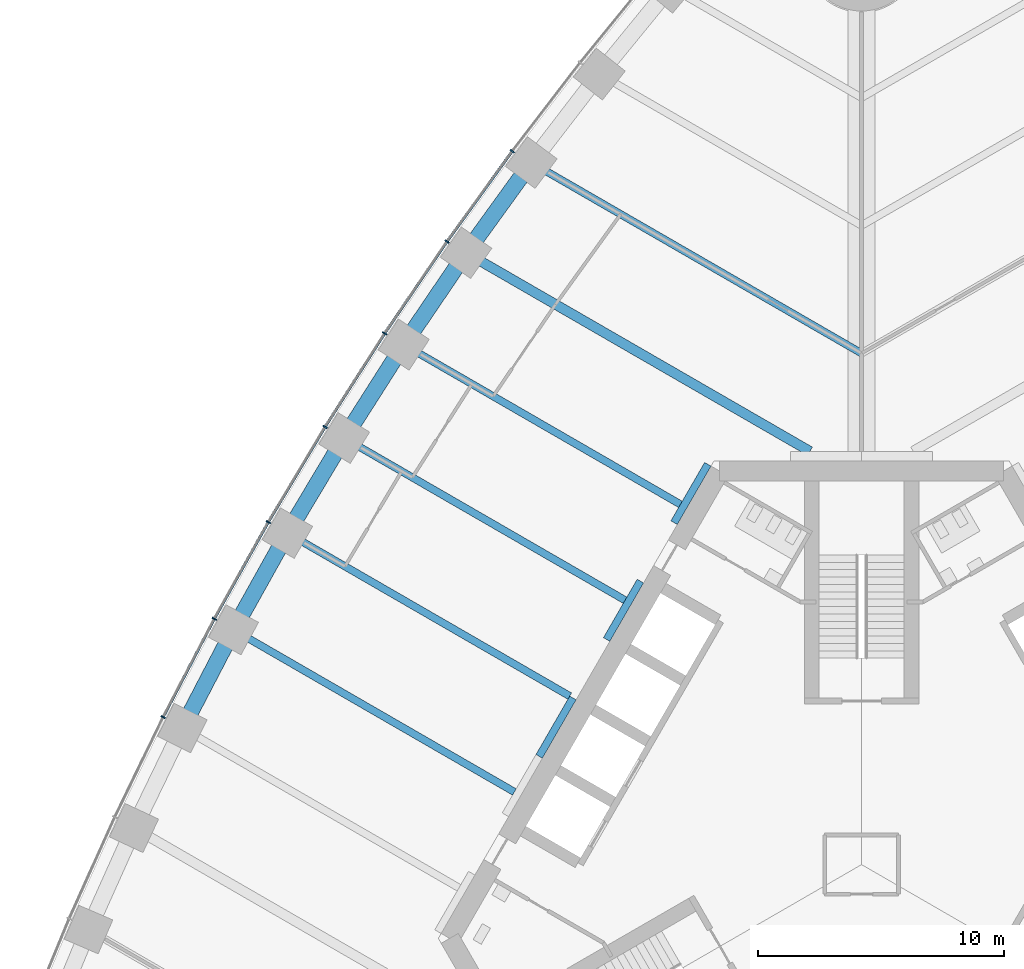
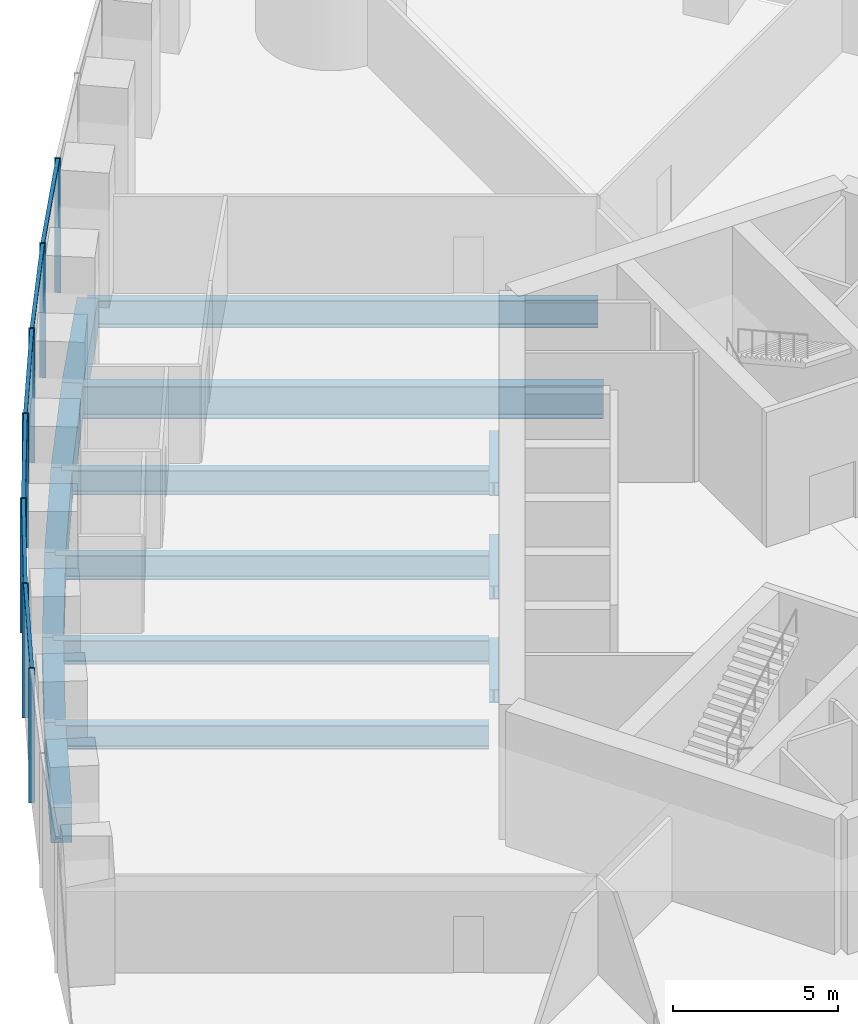
# One storey, part 7 of 21: 15 beams, 13 members, 1 element without a shape of its own.
"""IFC4 building model written with IfcOpenShell, lengths in metres."""

from ifc_helpers import new_model, si_unit, direction, frame, origin, origin_2d, place, context, subcontext, project, spatial, rectangle, i_section, extrude, material, material_profile, profile_set, type_object, element, aggregate, save


model = new_model("IFC4")

# Units and contexts
model_context = context("Model", 3, precision=1e-05, world=origin(), true_north=direction((0.0, 1.0)))
body_context = subcontext(model_context, "Body", "Model", "MODEL_VIEW")
ifc_project = project(units=[si_unit("LENGTHUNIT", "METRE"), si_unit("AREAUNIT", "SQUARE_METRE"), si_unit("VOLUMEUNIT", "CUBIC_METRE"), si_unit("PLANEANGLEUNIT", "RADIAN"), si_unit("MASSUNIT", "GRAM", prefix="KILO")], contexts=[model_context])

# Site, building, storey
site_placement = place(None, origin())
site = spatial("IfcSite", under=ifc_project, at=site_placement, CompositionType="ELEMENT")
building_placement = place(site_placement, origin())
building = spatial("IfcBuilding", under=site, at=building_placement, Name="Trefoil Bronze Tower", CompositionType="ELEMENT")
storey_placement = place(building_placement, frame((0.0, 0.0, 11.5)))
storey = spatial("IfcBuildingStorey", under=building, at=storey_placement, Name="L02", CompositionType="ELEMENT", Elevation=11.5)

# Curtain wall, members
ifc_material_1 = material(Name="Tinted solar-control glass", Category="glass")
curtain_wall_type = type_object("IfcCurtainWallType", Name="Bronze podium storefront curtain wall", PredefinedType="USERDEFINED", material=ifc_material_1)
curtain_wall_placement = place(storey_placement, origin())
curtain_wall = element("IfcCurtainWall", 1, at=curtain_wall_placement, inside=storey, type_object=curtain_wall_type, Name="CW-C L02 F3", ObjectType="CURTAIN WALL", PredefinedType="USERDEFINED")
ifc_material_2 = material(Name="Bronze-finish aluminium", Category="aluminium")
ifc_material_profile_1 = material_profile(ifc_material_2, rectangle(XDim=0.199951171875, YDim=0.06005859375, at=origin_2d()), Name="CW-C mullion")
ifc_profile_set_1 = profile_set([ifc_material_profile_1], Name="Bronze-finish aluminium")
member_type_1 = type_object("IfcMemberType", Name="Bronze podium storefront curtain wall mullion", PredefinedType="MULLION", material=ifc_profile_set_1)
member_1_placement = place(storey_placement, frame((-14.20361328125, 28.99853515625, 0.0), z_axis=(0.0, 0.0, 1.0), x_axis=(0.802126748469, -0.59715381552, 0.0)))
member_1 = element("IfcMember", 2, at=member_1_placement, type_object=member_type_1, Name="CW-C L02 F3 mullion 5", PredefinedType="MULLION", context=body_context, shape_type="SweptSolid", body=[
    extrude(rectangle(XDim=0.199951171875, YDim=0.06005859375, at=origin_2d()), origin(), (0.0, 0.0, 1.0), 4.97998046875),
])
member_2_placement = place(storey_placement, frame((-16.853271484375, 25.32861328125, 0.0), z_axis=(0.0, 0.0, 1.0), x_axis=(0.819204207116, -0.573501932903, 0.0)))
member_2 = element("IfcMember", 3, at=member_2_placement, type_object=member_type_1, Name="CW-C L02 F3 mullion 6", PredefinedType="MULLION", context=body_context, shape_type="SweptSolid", body=[
    extrude(rectangle(XDim=0.199951171875, YDim=0.06005859375, at=origin_2d()), origin(), (0.0, 0.0, 1.0), 4.97998046875),
])
member_3_placement = place(storey_placement, frame((-19.38818359375, 21.5927734375, 0.0), z_axis=(0.0, 0.0, 1.0), x_axis=(0.835543651684, -0.549424067665, 0.0)))
member_3 = element("IfcMember", 4, at=member_3_placement, type_object=member_type_1, Name="CW-C L02 F3 mullion 7", PredefinedType="MULLION", context=body_context, shape_type="SweptSolid", body=[
    extrude(rectangle(XDim=0.199951171875, YDim=0.06005859375, at=origin_2d()), origin(), (0.0, 0.0, 1.0), 4.97998046875),
])
member_4_placement = place(storey_placement, frame((-21.8095703125, 17.791259765625, 0.0), z_axis=(0.0, 0.0, 1.0), x_axis=(0.851149783004, -0.524922896141, 0.0)))
member_4 = element("IfcMember", 5, at=member_4_placement, type_object=member_type_1, Name="CW-C L02 F3 mullion 8", PredefinedType="MULLION", context=body_context, shape_type="SweptSolid", body=[
    extrude(rectangle(XDim=0.199951171875, YDim=0.06005859375, at=origin_2d()), origin(), (0.0, 0.0, 1.0), 4.97998046875),
])
member_5_placement = place(storey_placement, frame((-24.11767578125, 13.92431640625, 0.0), z_axis=(0.0, 0.0, 1.0), x_axis=(0.866025403784, -0.5, 0.0)))
member_5 = element("IfcMember", 6, at=member_5_placement, type_object=member_type_1, Name="CW-C L02 F3 mullion 9", PredefinedType="MULLION", context=body_context, shape_type="SweptSolid", body=[
    extrude(rectangle(XDim=0.199951171875, YDim=0.06005859375, at=origin_2d()), origin(), (0.0, 0.0, 1.0), 4.97998046875),
])
member_6_placement = place(storey_placement, frame((-26.3125, 9.991943359375, 0.0), z_axis=(0.0, 0.0, 1.0), x_axis=(0.880171454588, -0.474655886437, 0.0)))
member_6 = element("IfcMember", 7, at=member_6_placement, type_object=member_type_1, Name="CW-C L02 F3 mullion 10", PredefinedType="MULLION", context=body_context, shape_type="SweptSolid", body=[
    extrude(rectangle(XDim=0.199951171875, YDim=0.06005859375, at=origin_2d()), origin(), (0.0, 0.0, 1.0), 4.97998046875),
])
member_7_placement = place(storey_placement, frame((-28.39404296875, 5.994384765625, 0.0), z_axis=(0.0, 0.0, 1.0), x_axis=(0.893587025891, -0.448889994497, 0.0)))
member_7 = element("IfcMember", 8, at=member_7_placement, type_object=member_type_1, Name="CW-C L02 F3 mullion 11", PredefinedType="MULLION", context=body_context, shape_type="SweptSolid", body=[
    extrude(rectangle(XDim=0.199951171875, YDim=0.06005859375, at=origin_2d()), origin(), (0.0, 0.0, 1.0), 4.97998046875),
])
ifc_material_3 = material(Name="Bronze-finish aluminium", Category="aluminium")
ifc_material_profile_2 = material_profile(ifc_material_3, rectangle(XDim=0.1201171875, YDim=0.10009765625, at=origin_2d()), Name="CW-C transom")
ifc_profile_set_2 = profile_set([ifc_material_profile_2], Name="Bronze-finish aluminium")
member_type_2 = type_object("IfcMemberType", Name="Bronze podium storefront curtain wall transom", PredefinedType="USERDEFINED", material=ifc_profile_set_2)
member_8_placement = place(storey_placement, frame((-14.221923828125, 28.972900390625, 4.929931640625), z_axis=(-0.585390692876, -0.810751340853, 0.0), x_axis=(0.810751340853, -0.585390692876, 0.0)))
member_8 = element("IfcMember", 9, at=member_8_placement, type_object=member_type_2, Name="CW-C L02 F3 transom 5", ObjectType="TRANSOM", PredefinedType="USERDEFINED", context=body_context, shape_type="SweptSolid", body=[
    extrude(rectangle(XDim=0.1201171875, YDim=0.10009765625, at=origin_2d()), origin(), (0.0, 0.0, 1.0), 4.46337890625),
])
member_9_placement = place(storey_placement, frame((-16.870849609375, 25.302734375, 4.929931640625), z_axis=(-0.561502759392, -0.827474864388, 0.0), x_axis=(0.827474864388, -0.561502759392, 0.0)))
member_9 = element("IfcMember", 10, at=member_9_placement, type_object=member_type_2, Name="CW-C L02 F3 transom 6", ObjectType="TRANSOM", PredefinedType="USERDEFINED", context=body_context, shape_type="SweptSolid", body=[
    extrude(rectangle(XDim=0.1201171875, YDim=0.10009765625, at=origin_2d()), origin(), (0.0, 0.0, 1.0), 4.451904296875),
])
member_10_placement = place(storey_placement, frame((-19.4052734375, 21.56640625, 4.929931640625), z_axis=(-0.537198916648, -0.84345558505, 0.0), x_axis=(0.84345558505, -0.537198916648, 0.0)))
member_10 = element("IfcMember", 11, at=member_10_placement, type_object=member_type_2, Name="CW-C L02 F3 transom 7", ObjectType="TRANSOM", PredefinedType="USERDEFINED", context=body_context, shape_type="SweptSolid", body=[
    extrude(rectangle(XDim=0.1201171875, YDim=0.10009765625, at=origin_2d()), origin(), (0.0, 0.0, 1.0), 4.4443359375),
])
member_11_placement = place(storey_placement, frame((-21.82568359375, 17.764404296875, 4.929931640625), z_axis=(-0.512521589617, -0.858674338837, 0.0), x_axis=(0.858674338837, -0.512521589617, 0.0)))
member_11 = element("IfcMember", 12, at=member_11_placement, type_object=member_type_2, Name="CW-C L02 F3 transom 8", ObjectType="TRANSOM", PredefinedType="USERDEFINED", context=body_context, shape_type="SweptSolid", body=[
    extrude(rectangle(XDim=0.1201171875, YDim=0.10009765625, at=origin_2d()), origin(), (0.0, 0.0, 1.0), 4.440673828125),
])
member_12_placement = place(storey_placement, frame((-24.133056640625, 13.89697265625, 4.929931640625), z_axis=(-0.487350560486, -0.873206408127, 0.0), x_axis=(0.873206408127, -0.487350560486, 0.0)))
member_12 = element("IfcMember", 13, at=member_12_placement, type_object=member_type_2, Name="CW-C L02 F3 transom 9", ObjectType="TRANSOM", PredefinedType="USERDEFINED", context=body_context, shape_type="SweptSolid", body=[
    extrude(rectangle(XDim=0.1201171875, YDim=0.10009765625, at=origin_2d()), origin(), (0.0, 0.0, 1.0), 4.4404296875),
])
member_13_placement = place(storey_placement, frame((-26.3271484375, 9.964111328125, 4.929931640625), z_axis=(-0.461831786888, -0.886967530759, 0.0), x_axis=(0.886967530759, -0.461831786888, 0.0)))
member_13 = element("IfcMember", 14, at=member_13_placement, type_object=member_type_2, Name="CW-C L02 F3 transom 10", ObjectType="TRANSOM", PredefinedType="USERDEFINED", context=body_context, shape_type="SweptSolid", body=[
    extrude(rectangle(XDim=0.1201171875, YDim=0.10009765625, at=origin_2d()), origin(), (0.0, 0.0, 1.0), 4.4443359375),
])
aggregate(curtain_wall, [member_1, member_2, member_3, member_4, member_5, member_6, member_7, member_8, member_9, member_10, member_11, member_12, member_13])

# Beams
ifc_material_4 = material(Name="Steel C355", Category="steel")
ifc_material_profile_3 = material_profile(ifc_material_4, i_section(OverallWidth=0.300048828125, OverallDepth=0.5, WebThickness=0.014404296875, FlangeThickness=0.028076171875, FilletRadius=0.027099609375, at=origin_2d()), Name="HEB 500")
ifc_profile_set_3 = profile_set([ifc_material_profile_3], Name="Steel C355")
beam_type_1 = type_object("IfcBeamType", Name="Core seat beam HEB 500", PredefinedType="BEAM", material=ifc_profile_set_3)
for number, where, z_axis, x_axis, name in (
    (15, (-6.249755859375, 16.27490234375, -0.449951171875), (-0.500035825175, -0.866004719122, 0.0), (0.866004719122, -0.500035825175, 0.0), "Core seat beam F3/-2 L02"),
    (16, (-8.9921875, 11.52490234375, -0.449951171875), (-0.500035825175, -0.866004719122, 0.0), (0.866004719122, -0.500035825175, 0.0), "Core seat beam F3/-1 L02"),
    (17, (-11.734619140625, 6.77490234375, -0.449951171875), (-0.500035825175, -0.866004719122, 0.0), (0.866004719122, -0.500035825175, 0.0), "Core seat beam F3/+0 L02"),
):
    element("IfcBeam", number, at=place(storey_placement, frame(where, z_axis=z_axis, x_axis=x_axis)), inside=storey, type_object=beam_type_1, Name=name, PredefinedType="BEAM", context=body_context, shape_type="SweptSolid", body=[
        extrude(i_section(OverallWidth=0.300048828125, OverallDepth=0.5, WebThickness=0.014404296875, FlangeThickness=0.028076171875, FilletRadius=0.027099609375, at=origin_2d()), origin(), (0.0, 0.0, 1.0), 2.742431640625),
    ])
ifc_material_5 = material(Name="Steel C355", Category="steel")
ifc_material_profile_4 = material_profile(ifc_material_5, i_section(OverallWidth=0.300048828125, OverallDepth=0.89990234375, WebThickness=0.0185546875, FlangeThickness=0.034912109375, FilletRadius=0.030029296875, at=origin_2d()), Name="HEB 900")
ifc_profile_set_4 = profile_set([ifc_material_profile_4], Name="Steel C355")
beam_type_2 = type_object("IfcBeamType", Name="Floor beam HEB 900", PredefinedType="BEAM", material=ifc_profile_set_4)
beam_1_placement = place(storey_placement, frame((-18.61083984375, 21.13720703125, -0.64990234375), z_axis=(0.866030615021, -0.499990973765, 0.0), x_axis=(0.499990973765, 0.866030615021, 0.0)))
element("IfcBeam", 18, at=beam_1_placement, inside=storey, type_object=beam_type_2, Name="Floor beam F3/-2 L02", PredefinedType="BEAM", context=body_context, shape_type="SweptSolid", body=[
    extrude(i_section(OverallWidth=0.300048828125, OverallDepth=0.89990234375, WebThickness=0.0185546875, FlangeThickness=0.034912109375, FilletRadius=0.030029296875, at=origin_2d()), origin(), (0.0, 0.0, 1.0), 12.986083984375),
])
beam_2_placement = place(storey_placement, frame((-21.031494140625, 17.338623046875, -0.64990234375), z_axis=(0.866027071639, -0.499997111179, 0.0), x_axis=(0.499997111179, 0.866027071639, 0.0)))
element("IfcBeam", 19, at=beam_2_placement, inside=storey, type_object=beam_type_2, Name="Floor beam F3/-1 L02", PredefinedType="BEAM", context=body_context, shape_type="SweptSolid", body=[
    extrude(i_section(OverallWidth=0.300048828125, OverallDepth=0.89990234375, WebThickness=0.0185546875, FlangeThickness=0.034912109375, FilletRadius=0.030029296875, at=origin_2d()), origin(), (0.0, 0.0, 1.0), 13.18310546875),
])
beam_3_placement = place(storey_placement, frame((-23.33837890625, 13.474365234375, -0.64990234375), z_axis=(0.866031233401, -0.499989902672, 0.0), x_axis=(0.499989902672, 0.866031233401, 0.0)))
element("IfcBeam", 20, at=beam_3_placement, inside=storey, type_object=beam_type_2, Name="Floor beam F3/+0 L02", PredefinedType="BEAM", context=body_context, shape_type="SweptSolid", body=[
    extrude(i_section(OverallWidth=0.300048828125, OverallDepth=0.89990234375, WebThickness=0.0185546875, FlangeThickness=0.034912109375, FilletRadius=0.030029296875, at=origin_2d()), origin(), (0.0, 0.0, 1.0), 13.248779296875),
])
beam_4_placement = place(storey_placement, frame((-25.531494140625, 9.54443359375, -0.64990234375), z_axis=(0.866027071639, -0.499997111179, 0.0), x_axis=(0.499997111179, 0.866027071639, 0.0)))
element("IfcBeam", 21, at=beam_4_placement, inside=storey, type_object=beam_type_2, Name="Floor beam F3/+1 L02", PredefinedType="BEAM", context=body_context, shape_type="SweptSolid", body=[
    extrude(i_section(OverallWidth=0.300048828125, OverallDepth=0.89990234375, WebThickness=0.0185546875, FlangeThickness=0.034912109375, FilletRadius=0.030029296875, at=origin_2d()), origin(), (0.0, 0.0, 1.0), 13.18310546875),
])
ifc_material_6 = material(Name="Steel C355", Category="steel")
ifc_material_profile_5 = material_profile(ifc_material_6, i_section(OverallWidth=0.302001953125, OverallDepth=1.008056640625, WebThickness=0.02099609375, FlangeThickness=0.0400390625, FilletRadius=0.030029296875, at=origin_2d()), Name="HEM 1000")
ifc_profile_set_5 = profile_set([ifc_material_profile_5], Name="Steel C355")
beam_type_3 = type_object("IfcBeamType", Name="Floor beam HEM 1000", PredefinedType="BEAM", material=ifc_profile_set_5)
beam_5_placement = place(storey_placement, frame((-13.42578125, 28.5361328125, -0.7041015625), z_axis=(0.866022989816, -0.500004181093, 0.0), x_axis=(0.500004181093, 0.866022989816, 0.0)))
element("IfcBeam", 22, at=beam_5_placement, inside=storey, type_object=beam_type_3, Name="Floor beam F3/-4 L02", PredefinedType="BEAM", context=body_context, shape_type="SweptSolid", body=[
    extrude(i_section(OverallWidth=0.302001953125, OverallDepth=1.008056640625, WebThickness=0.02099609375, FlangeThickness=0.0400390625, FilletRadius=0.030029296875, at=origin_2d()), origin(), (0.0, 0.0, 1.0), 15.502685546875),
])
ifc_material_7 = material(Name="Steel C355", Category="steel")
ifc_material_profile_6 = material_profile(ifc_material_7, i_section(OverallWidth=0.39990234375, OverallDepth=1.199951171875, WebThickness=0.02001953125, FlangeThickness=0.0400390625, FilletRadius=0.010009765625, at=origin_2d()), Name="WPG 1200")
ifc_profile_set_6 = profile_set([ifc_material_profile_6], Name="Steel C355")
beam_type_4 = type_object("IfcBeamType", Name="Floor beam WPG 1200", PredefinedType="BEAM", material=ifc_profile_set_6)
beam_6_placement = place(storey_placement, frame((-16.075927734375, 24.869873046875, -0.800048828125), z_axis=(0.866028401131, -0.499994808408, 0.0), x_axis=(0.499994808408, 0.866028401131, 0.0)))
element("IfcBeam", 23, at=beam_6_placement, inside=storey, type_object=beam_type_4, Name="Floor beam F3/-3 L02", PredefinedType="BEAM", context=body_context, shape_type="SweptSolid", body=[
    extrude(i_section(OverallWidth=0.39990234375, OverallDepth=1.199951171875, WebThickness=0.02001953125, FlangeThickness=0.0400390625, FilletRadius=0.010009765625, at=origin_2d()), origin(), (0.0, 0.0, 1.0), 16.139892578125),
])
ifc_material_8 = material(Name="Concrete B80", Category="concrete")
ifc_material_profile_7 = material_profile(ifc_material_8, rectangle(XDim=0.64990234375, YDim=1.300048828125, at=origin_2d()), Name="RC 650x1300")
ifc_profile_set_7 = profile_set([ifc_material_profile_7], Name="Concrete B80")
beam_type_5 = type_object("IfcBeamType", Name="Spandrel beam RC 650x1300", PredefinedType="SPANDREL", material=ifc_profile_set_7)
beam_7_placement = place(storey_placement, frame((-13.42578125, 28.5361328125, -0.85009765625), z_axis=(-0.585823508301, -0.810438657223, 0.0), x_axis=(0.810438657223, -0.585823508301, 0.0)))
element("IfcBeam", 24, at=beam_7_placement, inside=storey, type_object=beam_type_5, Name="Spandrel F3.5 L02", PredefinedType="SPANDREL", context=body_context, shape_type="SweptSolid", body=[
    extrude(rectangle(XDim=0.64990234375, YDim=1.300048828125, at=origin_2d()), origin(), (0.0, 0.0, 1.0), 4.523681640625),
])
beam_8_placement = place(storey_placement, frame((-16.075927734375, 24.869873046875, -0.85009765625), z_axis=(-0.561809680291, -0.827266512758, 0.0), x_axis=(0.827266512758, -0.561809680291, 0.0)))
element("IfcBeam", 25, at=beam_8_placement, inside=storey, type_object=beam_type_5, Name="Spandrel F3.6 L02", PredefinedType="SPANDREL", context=body_context, shape_type="SweptSolid", body=[
    extrude(rectangle(XDim=0.64990234375, YDim=1.300048828125, at=origin_2d()), origin(), (0.0, 0.0, 1.0), 4.511962890625),
])
beam_9_placement = place(storey_placement, frame((-18.61083984375, 21.13720703125, -0.85009765625), z_axis=(-0.537408473305, -0.843322081307, 0.0), x_axis=(0.843322081307, -0.537408473305, 0.0)))
element("IfcBeam", 26, at=beam_9_placement, inside=storey, type_object=beam_type_5, Name="Spandrel F3.7 L02", PredefinedType="SPANDREL", context=body_context, shape_type="SweptSolid", body=[
    extrude(rectangle(XDim=0.64990234375, YDim=1.300048828125, at=origin_2d()), origin(), (0.0, 0.0, 1.0), 4.50439453125),
])
for number, where, z_axis, x_axis, name in (
    (27, (-21.031494140625, 17.338623046875, -0.85009765625), (-0.512587831591, -0.858634797166, 0.0), (0.858634797166, -0.512587831591, 0.0), "Spandrel F3.8 L02"),
    (28, (-23.33837890625, 13.474365234375, -0.85009765625), (-0.487309404804, -0.873229376504, 0.0), (0.873229376504, -0.487309404804, 0.0), "Spandrel F3.9 L02"),
):
    element("IfcBeam", number, at=place(storey_placement, frame(where, z_axis=z_axis, x_axis=x_axis)), inside=storey, type_object=beam_type_5, Name=name, PredefinedType="SPANDREL", context=body_context, shape_type="SweptSolid", body=[
        extrude(rectangle(XDim=0.64990234375, YDim=1.300048828125, at=origin_2d()), origin(), (0.0, 0.0, 1.0), 4.50048828125),
    ])
beam_10_placement = place(storey_placement, frame((-25.531494140625, 9.54443359375, -0.85009765625), z_axis=(-0.461637716615, -0.887068553495, 0.0), x_axis=(0.887068553495, -0.461637716615, 0.0)))
element("IfcBeam", 29, at=beam_10_placement, inside=storey, type_object=beam_type_5, Name="Spandrel F3.10 L02", PredefinedType="SPANDREL", context=body_context, shape_type="SweptSolid", body=[
    extrude(rectangle(XDim=0.64990234375, YDim=1.300048828125, at=origin_2d()), origin(), (0.0, 0.0, 1.0), 4.50439453125),
])

save(model, "model.ifc")
